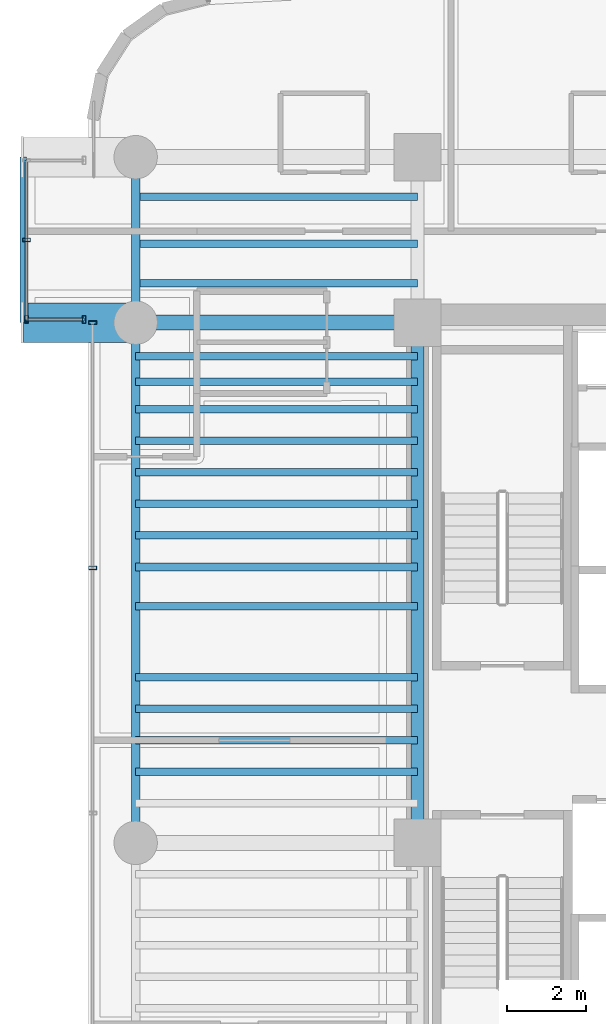
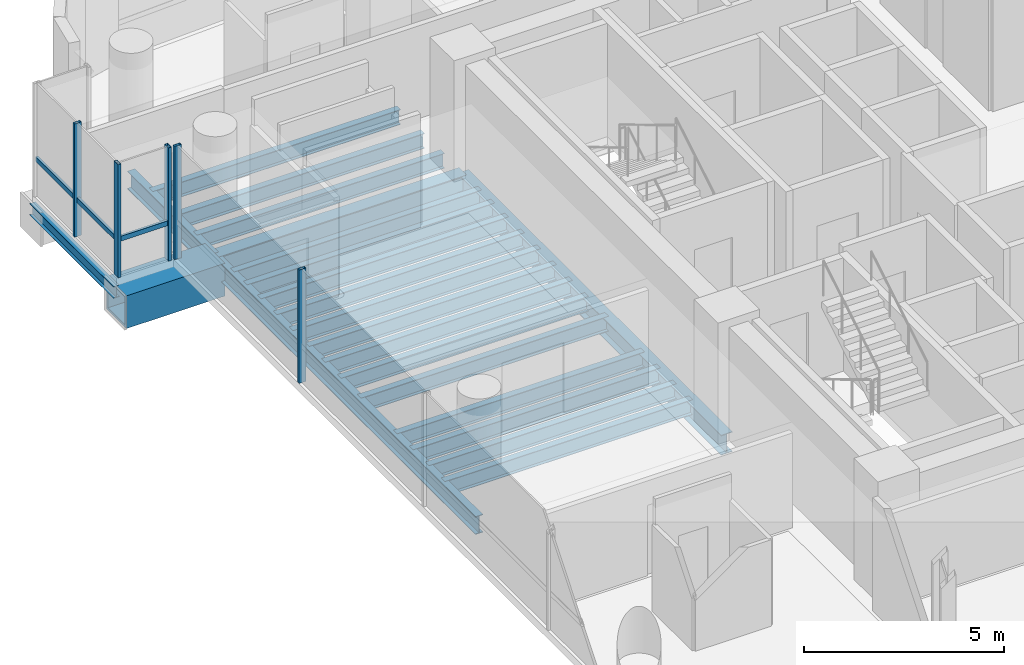
# One storey, part 9 of 36: 22 beams, 7 members, 3 elements without a shape of their own.
"""IFC4 building model written with IfcOpenShell, lengths in metres."""

import ifcopenshell
import ifcopenshell.guid

model = None  # the IFC model being written
_history = None  # IfcOwnerHistory: only IFC2X3 demands one
_inside = {}  # id of a spatial element -> (the spatial element, [elements in it])
_under = {}  # id of a project, library or spatial element -> (it, [spatial elements below it])
_declared = {}  # id of a project -> (the project, [libraries it declares])
_typed = {}  # id of a type object -> (the type object, [elements of that type])
_made_of = {}  # id of a material, layer set ... -> (it, [elements and type objects made of it])


def new_model(schema):
    """Start an empty IFC model of exactly this schema.

    Asked for "IFC4X3", IfcOpenShell would pick the latest addendum, in which some entities
    have other attributes; the version numbers below select the first issue.
    IFC2X3 requires an IfcOwnerHistory on every rooted entity: one is made here for all.
    """
    global model, _history
    if schema == "IFC4X3":
        model = ifcopenshell.file(schema_version=(4, 3, 0, 0))
    else:
        model = ifcopenshell.file(schema=schema)
    _inside.clear()
    _under.clear()
    _declared.clear()
    _typed.clear()
    _made_of.clear()
    _history = None
    if model.schema == "IFC2X3":
        org = make("IfcOrganization", Name="unknown")
        user = make(
            "IfcPersonAndOrganization",
            ThePerson=make("IfcPerson", FamilyName="unknown"),
            TheOrganization=org,
        )
        app = make(
            "IfcApplication",
            ApplicationDeveloper=org,
            Version="unknown",
            ApplicationFullName="unknown",
            ApplicationIdentifier="unknown",
        )
        _history = make(
            "IfcOwnerHistory",
            OwningUser=user,
            OwningApplication=app,
            ChangeAction="ADDED",
            CreationDate=0,
        )
    return model


def make(cls, **values):
    """One entity of the class cls with the attributes given. An attribute that is None is left unset."""
    return model.create_entity(
        cls, **{name: value for name, value in values.items() if value is not None}
    )


def rooted(cls, **values):
    """An entity with a GlobalId (a new one), such as an element, a storey or a relation."""
    return make(cls, GlobalId=ifcopenshell.guid.new(), OwnerHistory=_history, **values)


def si_unit(unit_type, name, prefix=None):
    """IfcSIUnit, for example si_unit("LENGTHUNIT", "METRE", prefix="MILLI")."""
    return make("IfcSIUnit", UnitType=unit_type, Prefix=prefix, Name=name)


def assignment(units):
    """IfcUnitAssignment: the units of a project."""
    return None if units is None else make("IfcUnitAssignment", Units=units)


def point(xyz):
    """IfcCartesianPoint."""
    return None if xyz is None else make("IfcCartesianPoint", Coordinates=xyz)


def direction(xyz):
    """IfcDirection."""
    return None if xyz is None else make("IfcDirection", DirectionRatios=xyz)


def frame(location, z_axis=None, x_axis=None):
    """IfcAxis2Placement3D, a coordinate frame: its origin and axes. An axis left out is left unset."""
    return make(
        "IfcAxis2Placement3D",
        Location=point(location),
        Axis=direction(z_axis),
        RefDirection=direction(x_axis),
    )


def frame_2d(location, x_axis=None):
    """IfcAxis2Placement2D, a coordinate frame in the plane: its origin and x axis."""
    return make(
        "IfcAxis2Placement2D", Location=point(location), RefDirection=direction(x_axis)
    )


def origin():
    """The frame at (0, 0, 0) with its axes left unset."""
    return frame((0.0, 0.0, 0.0))


def origin_2d():
    """The frame at (0, 0) in the plane with its x axis left unset."""
    return frame_2d((0.0, 0.0))


def place(relative_to, where):
    """IfcLocalPlacement: puts the frame where relative to a parent placement (None: the world)."""
    return make(
        "IfcLocalPlacement", PlacementRelTo=relative_to, RelativePlacement=where
    )


def context(
    kind, dimensions, precision=None, world=None, true_north=None, identifier=None
):
    """IfcGeometricRepresentationContext, for example the 3D "Model" context."""
    return make(
        "IfcGeometricRepresentationContext",
        ContextIdentifier=identifier,
        ContextType=kind,
        CoordinateSpaceDimension=dimensions,
        Precision=precision,
        WorldCoordinateSystem=world,
        TrueNorth=true_north,
    )


def subcontext(parent, identifier, kind, view, scale=None):
    """IfcGeometricRepresentationSubContext, for example "Body" below "Model"."""
    return make(
        "IfcGeometricRepresentationSubContext",
        ContextIdentifier=identifier,
        ContextType=kind,
        ParentContext=parent,
        TargetScale=scale,
        TargetView=view,
    )


def project(units=None, contexts=None):
    """IfcProject with its units and contexts."""
    return rooted(
        "IfcProject",
        Name="project",
        RepresentationContexts=contexts,
        UnitsInContext=assignment(units),
    )


def spatial(cls, under=None, at=None, **own):
    """A site, building, storey or space (cls), placed at a placement, below another one or the project."""
    s = rooted(cls, ObjectPlacement=at, **own)
    if under is not None:
        _under.setdefault(under.id(), (under, []))[1].append(s)
    return s


def profile(cls, at=None, kind="AREA", **sizes):
    """A parametric profile (cls). Its sizes go by their IFC names, for example OverallWidth=200.0."""
    return make(cls, ProfileType=kind, Position=at, **sizes)


def hollow_rectangle(**sizes):
    """IfcRectangleHollowProfileDef."""
    return profile("IfcRectangleHollowProfileDef", **sizes)


def i_section(**sizes):
    """IfcIShapeProfileDef."""
    return profile("IfcIShapeProfileDef", **sizes)


def extrude(swept, where, along, depth):
    """IfcExtrudedAreaSolid: the profile swept, set in the frame where, extruded along a direction by depth."""
    return make(
        "IfcExtrudedAreaSolid",
        SweptArea=swept,
        Position=where,
        ExtrudedDirection=direction(along),
        Depth=depth,
    )


def shape(context_of_items, identifier, shape_type, items):
    """IfcShapeRepresentation: the items that make up one representation, for example the "Body"."""
    return make(
        "IfcShapeRepresentation",
        ContextOfItems=context_of_items,
        RepresentationIdentifier=identifier,
        RepresentationType=shape_type,
        Items=items,
    )


def source(mapping_origin, context_of_items, identifier, shape_type, items):
    """IfcRepresentationMap: a shape defined once, which mapped items show again and again."""
    return make(
        "IfcRepresentationMap",
        MappingOrigin=mapping_origin,
        MappedRepresentation=shape(context_of_items, identifier, shape_type, items),
    )


def transform(
    local_origin,
    x_axis=None,
    y_axis=None,
    z_axis=None,
    scale=None,
    scale2=None,
    scale3=None,
    uniform=True,
):
    """IfcCartesianTransformationOperator3D, or its non-uniform kind. x_axis, y_axis, z_axis: its Axis1, 2, 3."""
    if uniform:
        return make(
            "IfcCartesianTransformationOperator3D",
            Axis1=direction(x_axis),
            Axis2=direction(y_axis),
            LocalOrigin=point(local_origin),
            Scale=scale,
            Axis3=direction(z_axis),
        )
    return make(
        "IfcCartesianTransformationOperator3DnonUniform",
        Axis1=direction(x_axis),
        Axis2=direction(y_axis),
        LocalOrigin=point(local_origin),
        Scale=scale,
        Axis3=direction(z_axis),
        Scale2=scale2,
        Scale3=scale3,
    )


def mapped(mapping_source, mapping_target):
    """IfcMappedItem: shows the shape of a source again, moved by a transform."""
    return make(
        "IfcMappedItem", MappingSource=mapping_source, MappingTarget=mapping_target
    )


def material(Name=None, Category=None):
    """IfcMaterial."""
    return make("IfcMaterial", Name=Name, Category=Category)


def material_profile(
    of_material, cross_section, Name=None, Category=None, Priority=None
):
    """IfcMaterialProfile: a cross section and its material."""
    return make(
        "IfcMaterialProfile",
        Name=Name,
        Material=of_material,
        Profile=cross_section,
        Priority=Priority,
        Category=Category,
    )


def profile_set(profiles, Name=None, composite=None):
    """IfcMaterialProfileSet."""
    return make(
        "IfcMaterialProfileSet",
        Name=Name,
        MaterialProfiles=profiles,
        CompositeProfile=composite,
    )


def made_of(thing, what):
    """Note that an element or type object is made of a material, layer set ...; save() writes the relation."""
    if what is not None:
        _made_of.setdefault(what.id(), (what, []))[1].append(thing)
    return thing


def type_object(cls, material=None, **own):
    """A type object (cls), such as IfcWallType, which elements share."""
    return made_of(rooted(cls, **own), material)


def element(
    cls,
    number,
    at=None,
    inside=None,
    cuts=None,
    type_object=None,
    material=None,
    context=None,
    identifier="Body",
    shape_type=None,
    held_by="IfcProductDefinitionShape",
    body=None,
    shapes=None,
    **own,
):
    """One element of the class cls, such as IfcWall. Its Tag is "e" and its number.

    at: its placement. inside: the storey or other place that contains it. cuts: it is an
    opening in that element (IfcRelVoidsElement). A single representation is given by context,
    identifier, shape_type and body (its items); several are given by shapes. held_by: the class
    of the entity that holds the representations. save() writes the other relations.
    """
    e = rooted(cls, Tag="e%d" % number, ObjectPlacement=at, **own)
    if body is not None:
        shapes = [shape(context, identifier, shape_type, body)]
    if shapes is not None:
        e.Representation = make(held_by, Representations=shapes)
    if inside is not None:
        _inside.setdefault(inside.id(), (inside, []))[1].append(e)
    if cuts is not None:
        rooted(
            "IfcRelVoidsElement", RelatingBuildingElement=cuts, RelatedOpeningElement=e
        )
    if type_object is not None:
        _typed.setdefault(type_object.id(), (type_object, []))[1].append(e)
    return made_of(e, material)


def aggregate(whole, parts):
    """IfcRelAggregates: a whole, such as a stair, and the parts it consists of."""
    return rooted("IfcRelAggregates", RelatingObject=whole, RelatedObjects=parts)


def save(model, path):
    """Write the relations noted so far, then the file.

    IfcRelAggregates (storeys below a building ...), IfcRelContainedInSpatialStructure (elements
    in a storey), IfcRelDefinesByType, IfcRelAssociatesMaterial and IfcRelDeclares: one each for
    every whole, place, type object, material and project.
    """
    for whole, parts in _under.values():
        aggregate(whole, parts)
    for where, things in _inside.values():
        rooted(
            "IfcRelContainedInSpatialStructure",
            RelatedElements=things,
            RelatingStructure=where,
        )
    for kind, things in _typed.values():
        rooted("IfcRelDefinesByType", RelatedObjects=things, RelatingType=kind)
    for what, things in _made_of.values():
        rooted("IfcRelAssociatesMaterial", RelatedObjects=things, RelatingMaterial=what)
    for by, libraries in _declared.values():
        rooted("IfcRelDeclares", RelatingContext=by, RelatedDefinitions=libraries)
    model.write(path)


model = new_model("IFC4")

# Units and contexts
model_context = context("Model", 3, precision=1e-05, world=origin(), true_north=direction((0.0, 1.0)))
body_context = subcontext(model_context, "Body", "Model", "MODEL_VIEW")
ifc_project = project(units=[si_unit("LENGTHUNIT", "METRE"), si_unit("AREAUNIT", "SQUARE_METRE"), si_unit("VOLUMEUNIT", "CUBIC_METRE"), si_unit("PLANEANGLEUNIT", "RADIAN"), si_unit("MASSUNIT", "GRAM", prefix="KILO")], contexts=[model_context])

# Site, building, storey
site_placement = place(None, origin())
site = spatial("IfcSite", under=ifc_project, at=site_placement, CompositionType="ELEMENT")
building_placement = place(site_placement, origin())
building = spatial("IfcBuilding", under=site, at=building_placement, Name="Valdorenza Pilgrim Sanctuary Tower", CompositionType="ELEMENT")
storey_placement = place(building_placement, frame((0.0, 0.0, 153.800048828125)))
storey = spatial("IfcBuildingStorey", under=building, at=storey_placement, Name="L39", CompositionType="ELEMENT", Elevation=153.800048828125)

# Beams
ifc_material_1 = material(Name="Steel ASTM A992 Grade 50", Category="steel")
ifc_material_profile_1 = material_profile(ifc_material_1, i_section(OverallWidth=0.214111328125, OverallDepth=0.549072265625, WebThickness=0.0146484375, FlangeThickness=0.023681640625, at=origin_2d()), Name="W21X93")
ifc_profile_set_1 = profile_set([ifc_material_profile_1], Name="Steel ASTM A992 Grade 50")
beam_type_1 = type_object("IfcBeamType", Name="STR-BM-SPN-W21A", PredefinedType="SPANDREL", material=ifc_profile_set_1)
shared_shape_1 = source(origin(), body_context, "Body", "SweptSolid", [
    extrude(i_section(OverallWidth=0.214111328125, OverallDepth=0.549072265625, WebThickness=0.0146484375, FlangeThickness=0.023681640625, at=origin_2d()), origin(), (0.0, 0.0, 1.0), 13.2001953125),
])
beam_1_placement = place(storey_placement, frame((-29.800048828125, -2.60009765625, -0.5146484375), z_axis=(0.0, 1.0, 0.0), x_axis=(-1.0, 0.0, 0.0)))
element("IfcBeam", 1, at=beam_1_placement, inside=storey, type_object=beam_type_1, Name="L39 Spandrel Beam WA-W-M0N1", PredefinedType="SPANDREL", context=body_context, shape_type="MappedRepresentation", body=[
    mapped(shared_shape_1, transform((0.0, 0.0, 0.0), x_axis=(1.0, 0.0, 0.0), y_axis=(0.0, 1.0, 0.0), z_axis=(0.0, 0.0, 1.0), scale=1.0)),
])
ifc_material_profile_2 = material_profile(ifc_material_1, i_section(OverallWidth=0.323974609375, OverallDepth=0.611083984375, WebThickness=0.0126953125, FlangeThickness=0.01904296875, at=origin_2d()), Name="W24X104")
ifc_profile_set_2 = profile_set([ifc_material_profile_2], Name="Steel ASTM A992 Grade 50")
beam_type_2 = type_object("IfcBeamType", Name="STR-BM-GRD-W24B", PredefinedType="BEAM", material=ifc_profile_set_2)
shared_shape_2 = source(origin(), body_context, "Body", "SweptSolid", [
    extrude(i_section(OverallWidth=0.323974609375, OverallDepth=0.611083984375, WebThickness=0.0126953125, FlangeThickness=0.01904296875, at=origin_2d()), origin(), (0.0, 0.0, 1.0), 13.2001953125),
])
beam_2_placement = place(storey_placement, frame((-22.64990234375, -2.60009765625, -0.545654296875), z_axis=(0.0, 1.0, 0.0), x_axis=(-1.0, 0.0, 0.0)))
element("IfcBeam", 2, at=beam_2_placement, inside=storey, type_object=beam_type_2, Name="L39 Core Tie Girder CA-W-M0N1", PredefinedType="BEAM", context=body_context, shape_type="MappedRepresentation", body=[
    mapped(shared_shape_2, transform((0.0, 0.0, 0.0), x_axis=(1.0, 0.0, 0.0), y_axis=(0.0, 1.0, 0.0), z_axis=(0.0, 0.0, 1.0), scale=1.0)),
])
shared_shape_3 = source(origin(), body_context, "Body", "SweptSolid", [
    extrude(i_section(OverallWidth=0.214111328125, OverallDepth=0.549072265625, WebThickness=0.0146484375, FlangeThickness=0.023681640625, at=origin_2d()), origin(), (0.0, 0.0, 1.0), 4.199951171875),
])
beam_3_placement = place(storey_placement, frame((-29.800048828125, 10.60009765625, -0.5146484375), z_axis=(0.0, 1.0, 0.0), x_axis=(-1.0, 0.0, 0.0)))
element("IfcBeam", 3, at=beam_3_placement, inside=storey, type_object=beam_type_1, Name="L39 Spandrel Beam WA-W-N1N2", PredefinedType="SPANDREL", context=body_context, shape_type="MappedRepresentation", body=[
    mapped(shared_shape_3, transform((0.0, 0.0, 0.0), x_axis=(1.0, 0.0, 0.0), y_axis=(0.0, 1.0, 0.0), z_axis=(0.0, 0.0, 1.0), scale=1.0)),
])
ifc_material_profile_3 = material_profile(ifc_material_1, i_section(OverallWidth=0.1708984375, OverallDepth=0.35107421875, WebThickness=0.0068359375, FlangeThickness=0.009765625, at=origin_2d()), Name="W14X30")
ifc_profile_set_3 = profile_set([ifc_material_profile_3], Name="Steel ASTM A992 Grade 50")
beam_type_3 = type_object("IfcBeamType", Name="STR-BM-BOX-W14", PredefinedType="BEAM", material=ifc_profile_set_3)
shared_shape_4 = source(origin(), body_context, "Body", "SweptSolid", [
    extrude(i_section(OverallWidth=0.1708984375, OverallDepth=0.35107421875, WebThickness=0.0068359375, FlangeThickness=0.009765625, at=origin_2d()), origin(), (0.0, 0.0, 1.0), 4.199951171875),
])
beam_4_placement = place(storey_placement, frame((-32.64990234375, 10.60009765625, -0.41552734375), z_axis=(0.0, 1.0, 0.0), x_axis=(-1.0, 0.0, 0.0)))
element("IfcBeam", 4, at=beam_4_placement, inside=storey, type_object=beam_type_3, Name="L39 Glass Box Edge Beam BOX-WA-L39-F", PredefinedType="BEAM", context=body_context, shape_type="MappedRepresentation", body=[
    mapped(shared_shape_4, transform((0.0, 0.0, 0.0), x_axis=(1.0, 0.0, 0.0), y_axis=(0.0, 1.0, 0.0), z_axis=(0.0, 0.0, 1.0), scale=1.0)),
])
ifc_material_profile_4 = material_profile(ifc_material_1, i_section(OverallWidth=0.382080078125, OverallDepth=0.779052734375, WebThickness=0.01806640625, FlangeThickness=0.030029296875, at=origin_2d()), Name="W30X191")
ifc_profile_set_4 = profile_set([ifc_material_profile_4], Name="Steel ASTM A992 Grade 50")
beam_type_4 = type_object("IfcBeamType", Name="STR-BM-GRD-W30", PredefinedType="BEAM", material=ifc_profile_set_4)
shared_shape_5 = source(origin(), body_context, "Body", "SweptSolid", [
    extrude(i_section(OverallWidth=0.382080078125, OverallDepth=0.779052734375, WebThickness=0.01806640625, FlangeThickness=0.030029296875, at=origin_2d()), origin(), (0.0, 0.0, 1.0), 7.150146484375),
])
beam_5_placement = place(storey_placement, frame((-29.800048828125, 10.60009765625, -0.629638671875), z_axis=(1.0, 0.0, 0.0), x_axis=(0.0, 1.0, 0.0)))
element("IfcBeam", 5, at=beam_5_placement, inside=storey, type_object=beam_type_4, Name="L39 Floor Girder WA-XW-N1", PredefinedType="BEAM", context=body_context, shape_type="MappedRepresentation", body=[
    mapped(shared_shape_5, transform((0.0, 0.0, 0.0), x_axis=(1.0, 0.0, 0.0), y_axis=(0.0, 1.0, 0.0), z_axis=(0.0, 0.0, 1.0), scale=1.0)),
])
ifc_material_profile_5 = material_profile(ifc_material_1, i_section(OverallWidth=0.19091796875, OverallDepth=0.45703125, WebThickness=0.009033203125, FlangeThickness=0.014404296875, at=origin_2d()), Name="W18X50")
ifc_profile_set_5 = profile_set([ifc_material_profile_5], Name="Steel ASTM A992 Grade 50")
beam_type_5 = type_object("IfcBeamType", Name="STR-BM-JST-W18B", PredefinedType="JOIST", material=ifc_profile_set_5)
shared_shape_6 = source(origin(), body_context, "Body", "SweptSolid", [
    extrude(i_section(OverallWidth=0.19091796875, OverallDepth=0.45703125, WebThickness=0.009033203125, FlangeThickness=0.014404296875, at=origin_2d()), origin(), (0.0, 0.0, 1.0), 7.150146484375),
])
for number, where, z_axis, x_axis, name in (
    (6, (-29.800048828125, -0.800048828125, -0.468505859375), (1.0, 0.0, 0.0), (0.0, 1.0, 0.0), "L39 Composite Floor Joist JST-WA-11"),
    (7, (-29.800048828125, 0.0, -0.468505859375), (1.0, 0.0, 0.0), (0.0, 1.0, 0.0), "L39 Composite Floor Joist JST-WA-12"),
    (8, (-29.800048828125, 0.800048828125, -0.468505859375), (1.0, 0.0, 0.0), (0.0, 1.0, 0.0), "L39 Composite Floor Joist JST-WA-13"),
    (9, (-29.800048828125, 1.60009765625, -0.468505859375), (1.0, 0.0, 0.0), (0.0, 1.0, 0.0), "L39 Composite Floor Joist JST-WA-14"),
    (10, (-29.800048828125, 3.39990234375, -0.468505859375), (1.0, 0.0, 0.0), (0.0, 1.0, 0.0), "L39 Composite Floor Joist JST-WA-15"),
    (11, (-29.800048828125, 4.39990234375, -0.468505859375), (1.0, 0.0, 0.0), (0.0, 1.0, 0.0), "L39 Composite Floor Joist JST-WA-16"),
    (12, (-29.800048828125, 5.199951171875, -0.468505859375), (1.0, 0.0, 0.0), (0.0, 1.0, 0.0), "L39 Composite Floor Joist JST-WA-17"),
    (13, (-29.800048828125, 6.0, -0.468505859375), (1.0, 0.0, 0.0), (0.0, 1.0, 0.0), "L39 Composite Floor Joist JST-WA-18"),
    (14, (-29.800048828125, 6.800048828125, -0.468505859375), (1.0, 0.0, 0.0), (0.0, 1.0, 0.0), "L39 Composite Floor Joist JST-WA-19"),
    (15, (-29.800048828125, 7.60009765625, -0.468505859375), (1.0, 0.0, 0.0), (0.0, 1.0, 0.0), "L39 Composite Floor Joist JST-WA-20"),
    (16, (-29.800048828125, 8.39990234375, -0.468505859375), (1.0, 0.0, 0.0), (0.0, 1.0, 0.0), "L39 Composite Floor Joist JST-WA-21"),
    (17, (-29.800048828125, 9.10009765625, -0.468505859375), (1.0, 0.0, 0.0), (0.0, 1.0, 0.0), "L39 Composite Floor Joist JST-WA-22"),
    (18, (-29.800048828125, 9.75, -0.468505859375), (1.0, 0.0, 0.0), (0.0, 1.0, 0.0), "L39 Composite Floor Joist JST-WA-23"),
    (19, (-29.800048828125, 11.60009765625, -0.468505859375), (1.0, 0.0, 0.0), (0.0, 1.0, 0.0), "L39 Composite Floor Joist JST-WA-24"),
    (20, (-29.800048828125, 12.60009765625, -0.468505859375), (1.0, 0.0, 0.0), (0.0, 1.0, 0.0), "L39 Composite Floor Joist JST-WA-25"),
    (21, (-29.800048828125, 13.800048828125, -0.468505859375), (1.0, 0.0, 0.0), (0.0, 1.0, 0.0), "L39 Composite Floor Joist JST-WA-26"),
):
    element("IfcBeam", number, at=place(storey_placement, frame(where, z_axis=z_axis, x_axis=x_axis)), inside=storey, type_object=beam_type_5, Name=name, PredefinedType="JOIST", context=body_context, shape_type="MappedRepresentation", body=[
        mapped(shared_shape_6, transform((0.0, 0.0, 0.0), x_axis=(1.0, 0.0, 0.0), y_axis=(0.0, 1.0, 0.0), z_axis=(0.0, 0.0, 1.0), scale=1.0)),
    ])
ifc_material_2 = material(Name="Steel ASTM A572 Grade 42", Category="steel")
ifc_material_profile_6 = material_profile(ifc_material_2, hollow_rectangle(XDim=1.0, YDim=1.0, WallThickness=0.080078125, at=origin_2d()), Name="BOX 1000x1000x80")
ifc_profile_set_6 = profile_set([ifc_material_profile_6], Name="Steel ASTM A572 Grade 42")
beam_type_6 = type_object("IfcBeamType", Name="STR-BM-PROW-CANT", PredefinedType="BEAM", material=ifc_profile_set_6)
shared_shape_7 = source(origin(), body_context, "Body", "SweptSolid", [
    extrude(hollow_rectangle(XDim=1.0, YDim=1.0, WallThickness=0.080078125, at=origin_2d()), origin(), (0.0, 0.0, 1.0), 2.849853515625),
])
beam_6_placement = place(storey_placement, frame((-29.800048828125, 10.60009765625, -0.739990234375), z_axis=(-1.0, 0.0, 0.0), x_axis=(0.0, -1.0, 0.0)))
element("IfcBeam", 22, at=beam_6_placement, inside=storey, type_object=beam_type_6, Name="L39 Glass Box Cantilever Beam BOX-WA-L39-CT-S", PredefinedType="BEAM", context=body_context, shape_type="MappedRepresentation", body=[
    mapped(shared_shape_7, transform((0.0, 0.0, 0.0), x_axis=(1.0, 0.0, 0.0), y_axis=(0.0, 1.0, 0.0), z_axis=(0.0, 0.0, 1.0), scale=1.0)),
])

# Curtain wall, members
ifc_material_3 = material(Name="Curtain-wall IGU glazing", Category="glass")
curtain_wall_type = type_object("IfcCurtainWallType", Name="CW-SYS-02", PredefinedType="NOTDEFINED", material=ifc_material_3)
curtain_wall_1_placement = place(storey_placement, origin())
curtain_wall_1 = element("IfcCurtainWall", 23, at=curtain_wall_1_placement, inside=storey, type_object=curtain_wall_type, Name="L39 Curtain Wall CW-L39-1-1S1", PredefinedType="NOTDEFINED")
ifc_material_4 = material(Name="Anodised aluminium AW-6060", Category="aluminium")
ifc_material_profile_7 = material_profile(ifc_material_4, hollow_rectangle(XDim=0.0849609375, YDim=0.199951171875, WallThickness=0.0048828125, at=origin_2d()), Name="ALU-M 200x85x5")
ifc_profile_set_7 = profile_set([ifc_material_profile_7], Name="Anodised aluminium AW-6060")
member_type_1 = type_object("IfcMemberType", Name="CW-MUL-02", PredefinedType="MULLION", material=ifc_profile_set_7)
shared_shape_8 = source(origin(), body_context, "Body", "SweptSolid", [
    extrude(hollow_rectangle(XDim=0.0849609375, YDim=0.199951171875, WallThickness=0.0048828125, at=origin_2d()), origin(), (0.0, 0.0, 1.0), 3.4599609375),
])
member_1_placement = place(storey_placement, frame((-30.889892578125, 4.377685546875, 0.0), z_axis=(0.0, 0.0, 1.0), x_axis=(0.0, 1.0, 0.0)))
member_1 = element("IfcMember", 24, at=member_1_placement, type_object=member_type_1, Name="CW-L39-1-1S1 Mullion 4", PredefinedType="MULLION", context=body_context, shape_type="MappedRepresentation", body=[
    mapped(shared_shape_8, transform((0.0, 0.0, 0.0), x_axis=(1.0, 0.0, 0.0), y_axis=(0.0, 1.0, 0.0), z_axis=(0.0, 0.0, 1.0), scale=1.0)),
])
member_2_placement = place(storey_placement, frame((-30.889892578125, 10.60009765625, 0.0), z_axis=(0.0, 0.0, 1.0), x_axis=(0.0, 1.0, 0.0)))
member_2 = element("IfcMember", 25, at=member_2_placement, type_object=member_type_1, Name="CW-L39-1-1S1 Mullion 5", PredefinedType="MULLION", context=body_context, shape_type="MappedRepresentation", body=[
    mapped(shared_shape_8, transform((0.0, 0.0, 0.0), x_axis=(1.0, 0.0, 0.0), y_axis=(0.0, 1.0, 0.0), z_axis=(0.0, 0.0, 1.0), scale=1.0)),
])
aggregate(curtain_wall_1, [member_1, member_2])

curtain_wall_2_placement = place(storey_placement, origin())
curtain_wall_2 = element("IfcCurtainWall", 26, at=curtain_wall_2_placement, inside=storey, type_object=curtain_wall_type, Name="L39 Curtain Wall CW-L39-BOX-WA-L39-S", PredefinedType="NOTDEFINED")
member_3_placement = place(storey_placement, frame((-31.110107421875, 10.679931640625, 0.0), z_axis=(0.0, 0.0, 1.0), x_axis=(-1.0, 0.0, 0.0)))
member_3 = element("IfcMember", 27, at=member_3_placement, type_object=member_type_1, Name="CW-L39-BOX-WA-L39-S Mullion 1", PredefinedType="MULLION", context=body_context, shape_type="MappedRepresentation", body=[
    mapped(shared_shape_8, transform((0.0, 0.0, 0.0), x_axis=(1.0, 0.0, 0.0), y_axis=(0.0, 1.0, 0.0), z_axis=(0.0, 0.0, 1.0), scale=1.0)),
])
member_4_placement = place(storey_placement, frame((-32.570068359375, 10.679931640625, 0.0), z_axis=(0.0, 0.0, 1.0), x_axis=(-1.0, 0.0, 0.0)))
member_4 = element("IfcMember", 28, at=member_4_placement, type_object=member_type_1, Name="CW-L39-BOX-WA-L39-S Mullion 2", PredefinedType="MULLION", context=body_context, shape_type="MappedRepresentation", body=[
    mapped(shared_shape_8, transform((0.0, 0.0, 0.0), x_axis=(1.0, 0.0, 0.0), y_axis=(0.0, 1.0, 0.0), z_axis=(0.0, 0.0, 1.0), scale=1.0)),
])

# Curtain wall, member
curtain_wall_3_placement = place(storey_placement, origin())
curtain_wall_3 = element("IfcCurtainWall", 29, at=curtain_wall_3_placement, inside=storey, type_object=curtain_wall_type, Name="L39 Curtain Wall CW-L39-BOX-WA-L39-F", PredefinedType="NOTDEFINED")
member_5_placement = place(storey_placement, frame((-32.570068359375, 12.699951171875, 0.0), z_axis=(0.0, 0.0, 1.0), x_axis=(0.0, 1.0, 0.0)))
member_5 = element("IfcMember", 30, at=member_5_placement, type_object=member_type_1, Name="CW-L39-BOX-WA-L39-F Mullion 2", PredefinedType="MULLION", context=body_context, shape_type="MappedRepresentation", body=[
    mapped(shared_shape_8, transform((0.0, 0.0, 0.0), x_axis=(1.0, 0.0, 0.0), y_axis=(0.0, 1.0, 0.0), z_axis=(0.0, 0.0, 1.0), scale=1.0)),
])

# Member
ifc_material_profile_8 = material_profile(ifc_material_4, hollow_rectangle(XDim=0.074951171875, YDim=0.14990234375, WallThickness=0.00390625, at=origin_2d()), Name="ALU-T 150x75x4")
ifc_profile_set_8 = profile_set([ifc_material_profile_8], Name="Anodised aluminium AW-6060")
member_type_2 = type_object("IfcMemberType", Name="CW-TRN-02", PredefinedType="USERDEFINED", material=ifc_profile_set_8)
shared_shape_9 = source(origin(), body_context, "Body", "SweptSolid", [
    extrude(hollow_rectangle(XDim=0.074951171875, YDim=0.14990234375, WallThickness=0.00390625, at=origin_2d()), origin(), (0.0, 0.0, 1.0), 1.4599609375),
])
member_6_placement = place(storey_placement, frame((-31.110107421875, 10.679931640625, 1.119873046875), z_axis=(-1.0, 0.0, 0.0), x_axis=(0.0, -1.0, 0.0)))
member_6 = element("IfcMember", 31, at=member_6_placement, type_object=member_type_2, Name="CW-L39-BOX-WA-L39-S Transom 1", ObjectType="TRANSOM", PredefinedType="USERDEFINED", context=body_context, shape_type="MappedRepresentation", body=[
    mapped(shared_shape_9, transform((0.0, 0.0, 0.0), x_axis=(1.0, 0.0, 0.0), y_axis=(0.0, 1.0, 0.0), z_axis=(0.0, 0.0, 1.0), scale=1.0)),
])

aggregate(curtain_wall_2, [member_3, member_4, member_6])

shared_shape_10 = source(origin(), body_context, "Body", "SweptSolid", [
    extrude(hollow_rectangle(XDim=0.074951171875, YDim=0.14990234375, WallThickness=0.00390625, at=origin_2d()), origin(), (0.0, 0.0, 1.0), 4.0400390625),
])
member_7_placement = place(storey_placement, frame((-32.570068359375, 10.679931640625, 1.119873046875), z_axis=(0.0, 1.0, 0.0), x_axis=(-1.0, 0.0, 0.0)))
member_7 = element("IfcMember", 32, at=member_7_placement, type_object=member_type_2, Name="CW-L39-BOX-WA-L39-F Transom 1", ObjectType="TRANSOM", PredefinedType="USERDEFINED", context=body_context, shape_type="MappedRepresentation", body=[
    mapped(shared_shape_10, transform((0.0, 0.0, 0.0), x_axis=(1.0, 0.0, 0.0), y_axis=(0.0, 1.0, 0.0), z_axis=(0.0, 0.0, 1.0), scale=1.0)),
])

aggregate(curtain_wall_3, [member_5, member_7])

save(model, "model.ifc")
